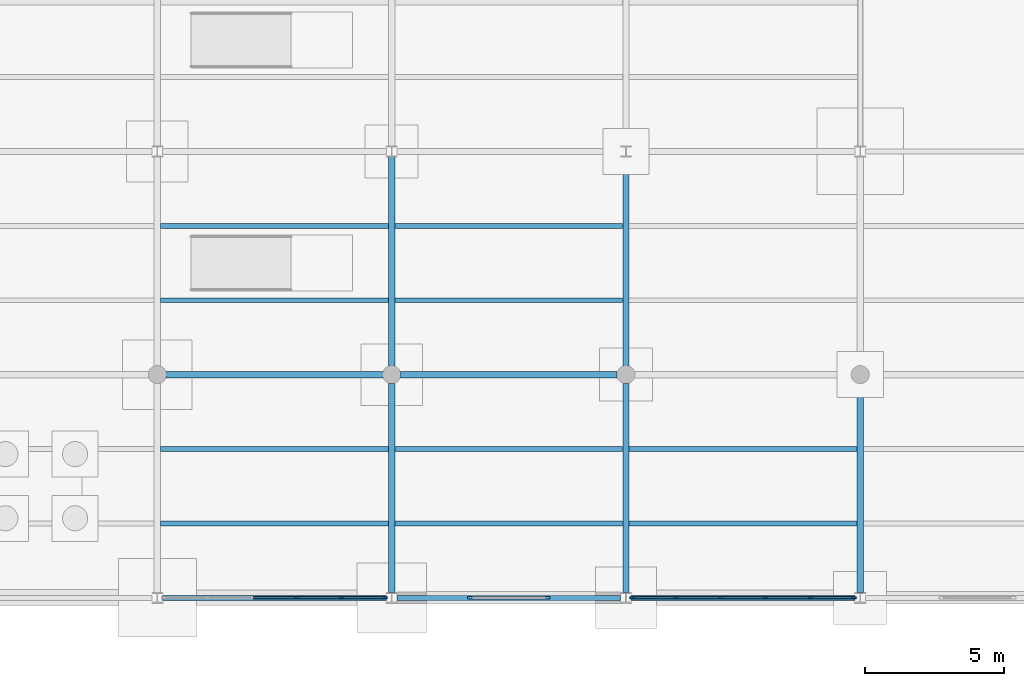
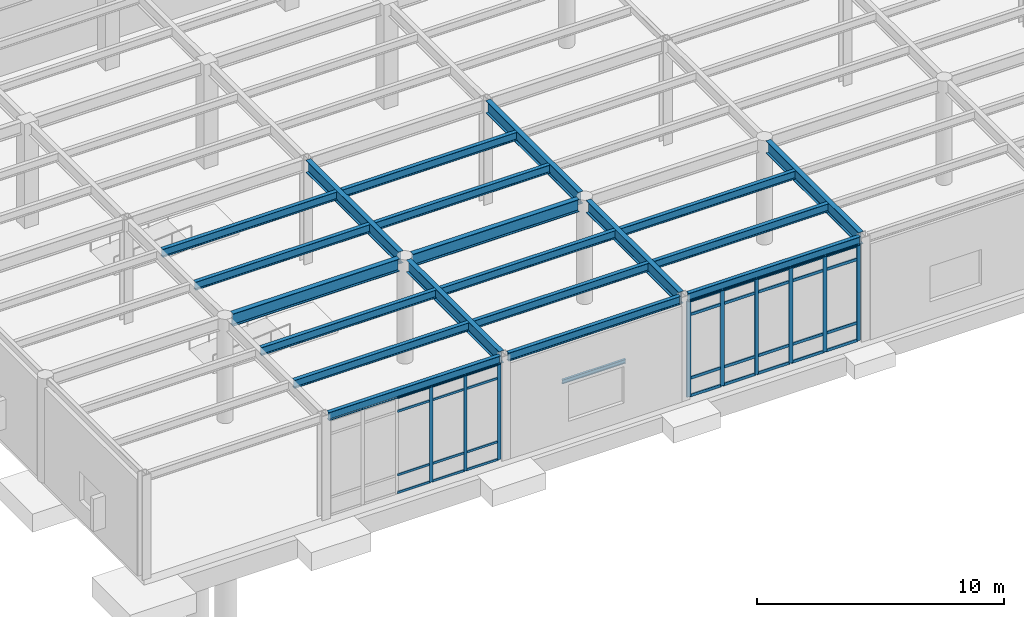
# One storey, part 31 of 138: 41 members, 21 beams, 2 elements without a shape of their own.
"""IFC4 building model written with IfcOpenShell, lengths in metres."""

from ifc_helpers import new_model, si_unit, direction, frame, origin, origin_2d, place, context, subcontext, project, spatial, rectangle, i_section, extrude, material, layer, layer_set, material_profile, profile_set, type_object, element, aggregate, save


model = new_model("IFC4")

# Units and contexts
model_context = context("Model", 3, precision=1e-05, world=origin(), true_north=direction((0.0, 1.0)))
body_context = subcontext(model_context, "Body", "Model", "MODEL_VIEW")
ifc_project = project(units=[si_unit("LENGTHUNIT", "METRE"), si_unit("AREAUNIT", "SQUARE_METRE"), si_unit("VOLUMEUNIT", "CUBIC_METRE"), si_unit("PLANEANGLEUNIT", "RADIAN"), si_unit("MASSUNIT", "GRAM", prefix="KILO")], contexts=[model_context])

# Site, building, storey
site_placement = place(None, origin())
site = spatial("IfcSite", under=ifc_project, at=site_placement, CompositionType="ELEMENT")
building_placement = place(site_placement, origin())
building = spatial("IfcBuilding", under=site, at=building_placement, Name="Kranzveld Transit Interchange", CompositionType="ELEMENT")
storey_placement = place(building_placement, origin())
storey = spatial("IfcBuildingStorey", under=building, at=storey_placement, Name="L00", CompositionType="ELEMENT", Elevation=0.0)

# Curtain wall, members
ifc_material_1 = material(Name="Bronze-anodised thermally broken aluminium", Category="aluminium")
ifc_layer_1 = layer(ifc_material_1, 0.14990234375)
ifc_layer_set_1 = layer_set([ifc_layer_1], Name="Bronze-anodised thermally broken aluminium")
curtain_wall_type_1 = type_object("IfcCurtainWallType", Name="Public Passage Clerestory Screen CW-4", PredefinedType="USERDEFINED", material=ifc_layer_set_1)
curtain_wall_1_placement = place(storey_placement, origin())
curtain_wall_1 = element("IfcCurtainWall", 1, at=curtain_wall_1_placement, inside=storey, type_object=curtain_wall_type_1, Name="L00 Curtain Wall 08/A-09/A", ObjectType="CURTAIN WALL", PredefinedType="USERDEFINED")
ifc_material_2 = material(Name="Bronze-anodised thermally broken aluminium", Category="aluminium")
ifc_material_profile_1 = material_profile(ifc_material_2, rectangle(XDim=0.06005859375, YDim=0.14990234375, at=origin_2d()), Name="ALU MULLION 60x150")
ifc_profile_set_1 = profile_set([ifc_material_profile_1], Name="Bronze-anodised thermally broken aluminium")
member_type_1 = type_object("IfcMemberType", Name="Curtain Wall Mullion 60x150 Alu", PredefinedType="MULLION", material=ifc_profile_set_1)
member_1_placement = place(storey_placement, frame((63.800048828125, 0.0, 0.0), z_axis=(0.0, 0.0, 1.0), x_axis=(0.0, 1.0, 0.0)))
member_1 = element("IfcMember", 2, at=member_1_placement, type_object=member_type_1, Name="CW-4 mullion 4", PredefinedType="MULLION", context=body_context, shape_type="SweptSolid", body=[
    extrude(rectangle(XDim=0.06005859375, YDim=0.14990234375, at=origin_2d()), origin(), (0.0, 0.0, 1.0), 4.740478515625),
])
member_2_placement = place(storey_placement, frame((65.400390625, 0.0, 0.0), z_axis=(0.0, 0.0, 1.0), x_axis=(0.0, 1.0, 0.0)))
member_2 = element("IfcMember", 3, at=member_2_placement, type_object=member_type_1, Name="CW-4 mullion 5", PredefinedType="MULLION", context=body_context, shape_type="SweptSolid", body=[
    extrude(rectangle(XDim=0.06005859375, YDim=0.14990234375, at=origin_2d()), origin(), (0.0, 0.0, 1.0), 4.740478515625),
])
member_3_placement = place(storey_placement, frame((66.970458984375, 0.0, 0.0), z_axis=(0.0, 0.0, 1.0), x_axis=(0.0, 1.0, 0.0)))
member_3 = element("IfcMember", 4, at=member_3_placement, type_object=member_type_1, Name="CW-4 mullion 6", PredefinedType="MULLION", context=body_context, shape_type="SweptSolid", body=[
    extrude(rectangle(XDim=0.06005859375, YDim=0.14990234375, at=origin_2d()), origin(), (0.0, 0.0, 1.0), 4.740478515625),
])

ifc_material_3 = material(Name="Bronze-anodised thermally broken aluminium", Category="aluminium")
ifc_layer_2 = layer(ifc_material_3, 0.18505859375)
ifc_layer_set_2 = layer_set([ifc_layer_2], Name="Bronze-anodised thermally broken aluminium")
curtain_wall_type_2 = type_object("IfcCurtainWallType", Name="Control Crown Observation Facade CW-5", PredefinedType="USERDEFINED", material=ifc_layer_set_2)
curtain_wall_2_placement = place(storey_placement, origin())
curtain_wall_2 = element("IfcCurtainWall", 5, at=curtain_wall_2_placement, inside=storey, type_object=curtain_wall_type_2, Name="L00 Curtain Wall 10/A-11/A", ObjectType="CURTAIN WALL", PredefinedType="USERDEFINED")
ifc_material_4 = material(Name="Bronze-anodised thermally broken aluminium", Category="aluminium")
ifc_material_profile_2 = material_profile(ifc_material_4, rectangle(XDim=0.06494140625, YDim=0.179931640625, at=origin_2d()), Name="ALU MULLION 65x180")
ifc_profile_set_2 = profile_set([ifc_material_profile_2], Name="Bronze-anodised thermally broken aluminium")
member_type_2 = type_object("IfcMemberType", Name="Curtain Wall Mullion 65x180 Alu", PredefinedType="MULLION", material=ifc_profile_set_2)
member_4_placement = place(storey_placement, frame((75.83203125, 0.0, 0.0), z_axis=(0.0, 0.0, 1.0), x_axis=(0.0, 1.0, 0.0)))
member_4 = element("IfcMember", 6, at=member_4_placement, type_object=member_type_2, Name="CW-5 mullion 1", PredefinedType="MULLION", context=body_context, shape_type="SweptSolid", body=[
    extrude(rectangle(XDim=0.06494140625, YDim=0.179931640625, at=origin_2d()), origin(), (0.0, 0.0, 1.0), 4.740478515625),
])
member_5_placement = place(storey_placement, frame((77.399658203125, 0.0, 0.0), z_axis=(0.0, 0.0, 1.0), x_axis=(0.0, 1.0, 0.0)))
member_5 = element("IfcMember", 7, at=member_5_placement, type_object=member_type_2, Name="CW-5 mullion 2", PredefinedType="MULLION", context=body_context, shape_type="SweptSolid", body=[
    extrude(rectangle(XDim=0.06494140625, YDim=0.179931640625, at=origin_2d()), origin(), (0.0, 0.0, 1.0), 4.740478515625),
])
member_6_placement = place(storey_placement, frame((79.0, 0.0, 0.0), z_axis=(0.0, 0.0, 1.0), x_axis=(0.0, 1.0, 0.0)))
member_6 = element("IfcMember", 8, at=member_6_placement, type_object=member_type_2, Name="CW-5 mullion 3", PredefinedType="MULLION", context=body_context, shape_type="SweptSolid", body=[
    extrude(rectangle(XDim=0.06494140625, YDim=0.179931640625, at=origin_2d()), origin(), (0.0, 0.0, 1.0), 4.740478515625),
])
member_7_placement = place(storey_placement, frame((80.60009765625, 0.0, 0.0), z_axis=(0.0, 0.0, 1.0), x_axis=(0.0, 1.0, 0.0)))
member_7 = element("IfcMember", 9, at=member_7_placement, type_object=member_type_2, Name="CW-5 mullion 4", PredefinedType="MULLION", context=body_context, shape_type="SweptSolid", body=[
    extrude(rectangle(XDim=0.06494140625, YDim=0.179931640625, at=origin_2d()), origin(), (0.0, 0.0, 1.0), 4.740478515625),
])
member_8_placement = place(storey_placement, frame((82.2001953125, 0.0, 0.0), z_axis=(0.0, 0.0, 1.0), x_axis=(0.0, 1.0, 0.0)))
member_8 = element("IfcMember", 10, at=member_8_placement, type_object=member_type_2, Name="CW-5 mullion 5", PredefinedType="MULLION", context=body_context, shape_type="SweptSolid", body=[
    extrude(rectangle(XDim=0.06494140625, YDim=0.179931640625, at=origin_2d()), origin(), (0.0, 0.0, 1.0), 4.740478515625),
])
member_9_placement = place(storey_placement, frame((83.76806640625, 0.0, 0.0), z_axis=(0.0, 0.0, 1.0), x_axis=(0.0, 1.0, 0.0)))
member_9 = element("IfcMember", 11, at=member_9_placement, type_object=member_type_2, Name="CW-5 mullion 6", PredefinedType="MULLION", context=body_context, shape_type="SweptSolid", body=[
    extrude(rectangle(XDim=0.06494140625, YDim=0.179931640625, at=origin_2d()), origin(), (0.0, 0.0, 1.0), 4.740478515625),
])

# Member
ifc_material_5 = material(Name="Bronze-anodised thermally broken aluminium", Category="aluminium")
ifc_material_profile_3 = material_profile(ifc_material_5, rectangle(XDim=0.06005859375, YDim=0.110107421875, at=origin_2d()), Name="ALU TRANSOM 60x110")
ifc_profile_set_3 = profile_set([ifc_material_profile_3], Name="Bronze-anodised thermally broken aluminium")
member_type_3 = type_object("IfcMemberType", Name="Curtain Wall Transom 60x110 Alu", PredefinedType="USERDEFINED", material=ifc_profile_set_3)
member_10_placement = place(storey_placement, frame((62.22998046875, 0.0, 0.030029296875), z_axis=(1.0, 0.0, 0.0), x_axis=(0.0, 1.0, 0.0)))
member_10 = element("IfcMember", 12, at=member_10_placement, type_object=member_type_3, Name="CW-4 transom 3.1", ObjectType="TRANSOM", PredefinedType="USERDEFINED", context=body_context, shape_type="SweptSolid", body=[
    extrude(rectangle(XDim=0.06005859375, YDim=0.110107421875, at=origin_2d()), origin(), (0.0, 0.0, 1.0), 1.5400390625),
])

member_11_placement = place(storey_placement, frame((62.22998046875, 0.0, 0.89990234375), z_axis=(1.0, 0.0, 0.0), x_axis=(0.0, 1.0, 0.0)))
member_11 = element("IfcMember", 13, at=member_11_placement, type_object=member_type_3, Name="CW-4 transom 3.2", ObjectType="TRANSOM", PredefinedType="USERDEFINED", context=body_context, shape_type="SweptSolid", body=[
    extrude(rectangle(XDim=0.06005859375, YDim=0.110107421875, at=origin_2d()), origin(), (0.0, 0.0, 1.0), 1.5400390625),
])

member_12_placement = place(storey_placement, frame((62.22998046875, 0.0, 4.04052734375), z_axis=(1.0, 0.0, 0.0), x_axis=(0.0, 1.0, 0.0)))
member_12 = element("IfcMember", 14, at=member_12_placement, type_object=member_type_3, Name="CW-4 transom 3.3", ObjectType="TRANSOM", PredefinedType="USERDEFINED", context=body_context, shape_type="SweptSolid", body=[
    extrude(rectangle(XDim=0.06005859375, YDim=0.110107421875, at=origin_2d()), origin(), (0.0, 0.0, 1.0), 1.5400390625),
])

member_13_placement = place(storey_placement, frame((62.22998046875, 0.0, 4.710693359375), z_axis=(1.0, 0.0, 0.0), x_axis=(0.0, 1.0, 0.0)))
member_13 = element("IfcMember", 15, at=member_13_placement, type_object=member_type_3, Name="CW-4 transom 3.4", ObjectType="TRANSOM", PredefinedType="USERDEFINED", context=body_context, shape_type="SweptSolid", body=[
    extrude(rectangle(XDim=0.06005859375, YDim=0.110107421875, at=origin_2d()), origin(), (0.0, 0.0, 1.0), 1.5400390625),
])

member_14_placement = place(storey_placement, frame((63.830078125, 0.0, 0.030029296875), z_axis=(1.0, 0.0, 0.0), x_axis=(0.0, 1.0, 0.0)))
member_14 = element("IfcMember", 16, at=member_14_placement, type_object=member_type_3, Name="CW-4 transom 4.1", ObjectType="TRANSOM", PredefinedType="USERDEFINED", context=body_context, shape_type="SweptSolid", body=[
    extrude(rectangle(XDim=0.06005859375, YDim=0.110107421875, at=origin_2d()), origin(), (0.0, 0.0, 1.0), 1.540283203125),
])

member_15_placement = place(storey_placement, frame((63.830078125, 0.0, 0.89990234375), z_axis=(1.0, 0.0, 0.0), x_axis=(0.0, 1.0, 0.0)))
member_15 = element("IfcMember", 17, at=member_15_placement, type_object=member_type_3, Name="CW-4 transom 4.2", ObjectType="TRANSOM", PredefinedType="USERDEFINED", context=body_context, shape_type="SweptSolid", body=[
    extrude(rectangle(XDim=0.06005859375, YDim=0.110107421875, at=origin_2d()), origin(), (0.0, 0.0, 1.0), 1.540283203125),
])

member_16_placement = place(storey_placement, frame((63.830078125, 0.0, 4.04052734375), z_axis=(1.0, 0.0, 0.0), x_axis=(0.0, 1.0, 0.0)))
member_16 = element("IfcMember", 18, at=member_16_placement, type_object=member_type_3, Name="CW-4 transom 4.3", ObjectType="TRANSOM", PredefinedType="USERDEFINED", context=body_context, shape_type="SweptSolid", body=[
    extrude(rectangle(XDim=0.06005859375, YDim=0.110107421875, at=origin_2d()), origin(), (0.0, 0.0, 1.0), 1.540283203125),
])

member_17_placement = place(storey_placement, frame((63.830078125, 0.0, 4.710693359375), z_axis=(1.0, 0.0, 0.0), x_axis=(0.0, 1.0, 0.0)))
member_17 = element("IfcMember", 19, at=member_17_placement, type_object=member_type_3, Name="CW-4 transom 4.4", ObjectType="TRANSOM", PredefinedType="USERDEFINED", context=body_context, shape_type="SweptSolid", body=[
    extrude(rectangle(XDim=0.06005859375, YDim=0.110107421875, at=origin_2d()), origin(), (0.0, 0.0, 1.0), 1.540283203125),
])

member_18_placement = place(storey_placement, frame((65.430419921875, 0.0, 0.030029296875), z_axis=(1.0, 0.0, 0.0), x_axis=(0.0, 1.0, 0.0)))
member_18 = element("IfcMember", 20, at=member_18_placement, type_object=member_type_3, Name="CW-4 transom 5.1", ObjectType="TRANSOM", PredefinedType="USERDEFINED", context=body_context, shape_type="SweptSolid", body=[
    extrude(rectangle(XDim=0.06005859375, YDim=0.110107421875, at=origin_2d()), origin(), (0.0, 0.0, 1.0), 1.510009765625),
])

member_19_placement = place(storey_placement, frame((65.430419921875, 0.0, 0.89990234375), z_axis=(1.0, 0.0, 0.0), x_axis=(0.0, 1.0, 0.0)))
member_19 = element("IfcMember", 21, at=member_19_placement, type_object=member_type_3, Name="CW-4 transom 5.2", ObjectType="TRANSOM", PredefinedType="USERDEFINED", context=body_context, shape_type="SweptSolid", body=[
    extrude(rectangle(XDim=0.06005859375, YDim=0.110107421875, at=origin_2d()), origin(), (0.0, 0.0, 1.0), 1.510009765625),
])

member_20_placement = place(storey_placement, frame((65.430419921875, 0.0, 4.04052734375), z_axis=(1.0, 0.0, 0.0), x_axis=(0.0, 1.0, 0.0)))
member_20 = element("IfcMember", 22, at=member_20_placement, type_object=member_type_3, Name="CW-4 transom 5.3", ObjectType="TRANSOM", PredefinedType="USERDEFINED", context=body_context, shape_type="SweptSolid", body=[
    extrude(rectangle(XDim=0.06005859375, YDim=0.110107421875, at=origin_2d()), origin(), (0.0, 0.0, 1.0), 1.510009765625),
])

member_21_placement = place(storey_placement, frame((65.430419921875, 0.0, 4.710693359375), z_axis=(1.0, 0.0, 0.0), x_axis=(0.0, 1.0, 0.0)))
member_21 = element("IfcMember", 23, at=member_21_placement, type_object=member_type_3, Name="CW-4 transom 5.4", ObjectType="TRANSOM", PredefinedType="USERDEFINED", context=body_context, shape_type="SweptSolid", body=[
    extrude(rectangle(XDim=0.06005859375, YDim=0.110107421875, at=origin_2d()), origin(), (0.0, 0.0, 1.0), 1.510009765625),
])

aggregate(curtain_wall_1, [member_1, member_2, member_3, member_10, member_11, member_12, member_13, member_14, member_15, member_16, member_17, member_18, member_19, member_20, member_21])

ifc_material_6 = material(Name="Bronze-anodised thermally broken aluminium", Category="aluminium")
ifc_material_profile_4 = material_profile(ifc_material_6, rectangle(XDim=0.06494140625, YDim=0.139892578125, at=origin_2d()), Name="ALU TRANSOM 65x140")
ifc_profile_set_4 = profile_set([ifc_material_profile_4], Name="Bronze-anodised thermally broken aluminium")
member_type_4 = type_object("IfcMemberType", Name="Curtain Wall Transom 65x140 Alu", PredefinedType="USERDEFINED", material=ifc_profile_set_4)
member_22_placement = place(storey_placement, frame((75.864501953125, 0.0, 0.032470703125), z_axis=(1.0, 0.0, 0.0), x_axis=(0.0, 1.0, 0.0)))
member_22 = element("IfcMember", 24, at=member_22_placement, type_object=member_type_4, Name="CW-5 transom 1.1", ObjectType="TRANSOM", PredefinedType="USERDEFINED", context=body_context, shape_type="SweptSolid", body=[
    extrude(rectangle(XDim=0.06494140625, YDim=0.139892578125, at=origin_2d()), origin(), (0.0, 0.0, 1.0), 1.502685546875),
])

member_23_placement = place(storey_placement, frame((75.864501953125, 0.0, 0.89990234375), z_axis=(1.0, 0.0, 0.0), x_axis=(0.0, 1.0, 0.0)))
member_23 = element("IfcMember", 25, at=member_23_placement, type_object=member_type_4, Name="CW-5 transom 1.2", ObjectType="TRANSOM", PredefinedType="USERDEFINED", context=body_context, shape_type="SweptSolid", body=[
    extrude(rectangle(XDim=0.06494140625, YDim=0.139892578125, at=origin_2d()), origin(), (0.0, 0.0, 1.0), 1.502685546875),
])

member_24_placement = place(storey_placement, frame((75.864501953125, 0.0, 4.04052734375), z_axis=(1.0, 0.0, 0.0), x_axis=(0.0, 1.0, 0.0)))
member_24 = element("IfcMember", 26, at=member_24_placement, type_object=member_type_4, Name="CW-5 transom 1.3", ObjectType="TRANSOM", PredefinedType="USERDEFINED", context=body_context, shape_type="SweptSolid", body=[
    extrude(rectangle(XDim=0.06494140625, YDim=0.139892578125, at=origin_2d()), origin(), (0.0, 0.0, 1.0), 1.502685546875),
])

member_25_placement = place(storey_placement, frame((75.864501953125, 0.0, 4.7080078125), z_axis=(1.0, 0.0, 0.0), x_axis=(0.0, 1.0, 0.0)))
member_25 = element("IfcMember", 27, at=member_25_placement, type_object=member_type_4, Name="CW-5 transom 1.4", ObjectType="TRANSOM", PredefinedType="USERDEFINED", context=body_context, shape_type="SweptSolid", body=[
    extrude(rectangle(XDim=0.06494140625, YDim=0.139892578125, at=origin_2d()), origin(), (0.0, 0.0, 1.0), 1.502685546875),
])

member_26_placement = place(storey_placement, frame((77.43212890625, 0.0, 0.032470703125), z_axis=(1.0, 0.0, 0.0), x_axis=(0.0, 1.0, 0.0)))
member_26 = element("IfcMember", 28, at=member_26_placement, type_object=member_type_4, Name="CW-5 transom 2.1", ObjectType="TRANSOM", PredefinedType="USERDEFINED", context=body_context, shape_type="SweptSolid", body=[
    extrude(rectangle(XDim=0.06494140625, YDim=0.139892578125, at=origin_2d()), origin(), (0.0, 0.0, 1.0), 1.53515625),
])

member_27_placement = place(storey_placement, frame((77.43212890625, 0.0, 0.89990234375), z_axis=(1.0, 0.0, 0.0), x_axis=(0.0, 1.0, 0.0)))
member_27 = element("IfcMember", 29, at=member_27_placement, type_object=member_type_4, Name="CW-5 transom 2.2", ObjectType="TRANSOM", PredefinedType="USERDEFINED", context=body_context, shape_type="SweptSolid", body=[
    extrude(rectangle(XDim=0.06494140625, YDim=0.139892578125, at=origin_2d()), origin(), (0.0, 0.0, 1.0), 1.53515625),
])

member_28_placement = place(storey_placement, frame((77.43212890625, 0.0, 4.04052734375), z_axis=(1.0, 0.0, 0.0), x_axis=(0.0, 1.0, 0.0)))
member_28 = element("IfcMember", 30, at=member_28_placement, type_object=member_type_4, Name="CW-5 transom 2.3", ObjectType="TRANSOM", PredefinedType="USERDEFINED", context=body_context, shape_type="SweptSolid", body=[
    extrude(rectangle(XDim=0.06494140625, YDim=0.139892578125, at=origin_2d()), origin(), (0.0, 0.0, 1.0), 1.53515625),
])

member_29_placement = place(storey_placement, frame((77.43212890625, 0.0, 4.7080078125), z_axis=(1.0, 0.0, 0.0), x_axis=(0.0, 1.0, 0.0)))
member_29 = element("IfcMember", 31, at=member_29_placement, type_object=member_type_4, Name="CW-5 transom 2.4", ObjectType="TRANSOM", PredefinedType="USERDEFINED", context=body_context, shape_type="SweptSolid", body=[
    extrude(rectangle(XDim=0.06494140625, YDim=0.139892578125, at=origin_2d()), origin(), (0.0, 0.0, 1.0), 1.53515625),
])

member_30_placement = place(storey_placement, frame((79.032470703125, 0.0, 0.032470703125), z_axis=(1.0, 0.0, 0.0), x_axis=(0.0, 1.0, 0.0)))
member_30 = element("IfcMember", 32, at=member_30_placement, type_object=member_type_4, Name="CW-5 transom 3.1", ObjectType="TRANSOM", PredefinedType="USERDEFINED", context=body_context, shape_type="SweptSolid", body=[
    extrude(rectangle(XDim=0.06494140625, YDim=0.139892578125, at=origin_2d()), origin(), (0.0, 0.0, 1.0), 1.53515625),
])

member_31_placement = place(storey_placement, frame((79.032470703125, 0.0, 0.89990234375), z_axis=(1.0, 0.0, 0.0), x_axis=(0.0, 1.0, 0.0)))
member_31 = element("IfcMember", 33, at=member_31_placement, type_object=member_type_4, Name="CW-5 transom 3.2", ObjectType="TRANSOM", PredefinedType="USERDEFINED", context=body_context, shape_type="SweptSolid", body=[
    extrude(rectangle(XDim=0.06494140625, YDim=0.139892578125, at=origin_2d()), origin(), (0.0, 0.0, 1.0), 1.53515625),
])

member_32_placement = place(storey_placement, frame((79.032470703125, 0.0, 4.04052734375), z_axis=(1.0, 0.0, 0.0), x_axis=(0.0, 1.0, 0.0)))
member_32 = element("IfcMember", 34, at=member_32_placement, type_object=member_type_4, Name="CW-5 transom 3.3", ObjectType="TRANSOM", PredefinedType="USERDEFINED", context=body_context, shape_type="SweptSolid", body=[
    extrude(rectangle(XDim=0.06494140625, YDim=0.139892578125, at=origin_2d()), origin(), (0.0, 0.0, 1.0), 1.53515625),
])

member_33_placement = place(storey_placement, frame((79.032470703125, 0.0, 4.7080078125), z_axis=(1.0, 0.0, 0.0), x_axis=(0.0, 1.0, 0.0)))
member_33 = element("IfcMember", 35, at=member_33_placement, type_object=member_type_4, Name="CW-5 transom 3.4", ObjectType="TRANSOM", PredefinedType="USERDEFINED", context=body_context, shape_type="SweptSolid", body=[
    extrude(rectangle(XDim=0.06494140625, YDim=0.139892578125, at=origin_2d()), origin(), (0.0, 0.0, 1.0), 1.53515625),
])

member_34_placement = place(storey_placement, frame((80.632568359375, 0.0, 0.032470703125), z_axis=(1.0, 0.0, 0.0), x_axis=(0.0, 1.0, 0.0)))
member_34 = element("IfcMember", 36, at=member_34_placement, type_object=member_type_4, Name="CW-5 transom 4.1", ObjectType="TRANSOM", PredefinedType="USERDEFINED", context=body_context, shape_type="SweptSolid", body=[
    extrude(rectangle(XDim=0.06494140625, YDim=0.139892578125, at=origin_2d()), origin(), (0.0, 0.0, 1.0), 1.53515625),
])

member_35_placement = place(storey_placement, frame((80.632568359375, 0.0, 0.89990234375), z_axis=(1.0, 0.0, 0.0), x_axis=(0.0, 1.0, 0.0)))
member_35 = element("IfcMember", 37, at=member_35_placement, type_object=member_type_4, Name="CW-5 transom 4.2", ObjectType="TRANSOM", PredefinedType="USERDEFINED", context=body_context, shape_type="SweptSolid", body=[
    extrude(rectangle(XDim=0.06494140625, YDim=0.139892578125, at=origin_2d()), origin(), (0.0, 0.0, 1.0), 1.53515625),
])

member_36_placement = place(storey_placement, frame((80.632568359375, 0.0, 4.04052734375), z_axis=(1.0, 0.0, 0.0), x_axis=(0.0, 1.0, 0.0)))
member_36 = element("IfcMember", 38, at=member_36_placement, type_object=member_type_4, Name="CW-5 transom 4.3", ObjectType="TRANSOM", PredefinedType="USERDEFINED", context=body_context, shape_type="SweptSolid", body=[
    extrude(rectangle(XDim=0.06494140625, YDim=0.139892578125, at=origin_2d()), origin(), (0.0, 0.0, 1.0), 1.53515625),
])

member_37_placement = place(storey_placement, frame((80.632568359375, 0.0, 4.7080078125), z_axis=(1.0, 0.0, 0.0), x_axis=(0.0, 1.0, 0.0)))
member_37 = element("IfcMember", 39, at=member_37_placement, type_object=member_type_4, Name="CW-5 transom 4.4", ObjectType="TRANSOM", PredefinedType="USERDEFINED", context=body_context, shape_type="SweptSolid", body=[
    extrude(rectangle(XDim=0.06494140625, YDim=0.139892578125, at=origin_2d()), origin(), (0.0, 0.0, 1.0), 1.53515625),
])

member_38_placement = place(storey_placement, frame((82.23291015625, 0.0, 0.032470703125), z_axis=(1.0, 0.0, 0.0), x_axis=(0.0, 1.0, 0.0)))
member_38 = element("IfcMember", 40, at=member_38_placement, type_object=member_type_4, Name="CW-5 transom 5.1", ObjectType="TRANSOM", PredefinedType="USERDEFINED", context=body_context, shape_type="SweptSolid", body=[
    extrude(rectangle(XDim=0.06494140625, YDim=0.139892578125, at=origin_2d()), origin(), (0.0, 0.0, 1.0), 1.502685546875),
])

member_39_placement = place(storey_placement, frame((82.23291015625, 0.0, 0.89990234375), z_axis=(1.0, 0.0, 0.0), x_axis=(0.0, 1.0, 0.0)))
member_39 = element("IfcMember", 41, at=member_39_placement, type_object=member_type_4, Name="CW-5 transom 5.2", ObjectType="TRANSOM", PredefinedType="USERDEFINED", context=body_context, shape_type="SweptSolid", body=[
    extrude(rectangle(XDim=0.06494140625, YDim=0.139892578125, at=origin_2d()), origin(), (0.0, 0.0, 1.0), 1.502685546875),
])

member_40_placement = place(storey_placement, frame((82.23291015625, 0.0, 4.04052734375), z_axis=(1.0, 0.0, 0.0), x_axis=(0.0, 1.0, 0.0)))
member_40 = element("IfcMember", 42, at=member_40_placement, type_object=member_type_4, Name="CW-5 transom 5.3", ObjectType="TRANSOM", PredefinedType="USERDEFINED", context=body_context, shape_type="SweptSolid", body=[
    extrude(rectangle(XDim=0.06494140625, YDim=0.139892578125, at=origin_2d()), origin(), (0.0, 0.0, 1.0), 1.502685546875),
])

member_41_placement = place(storey_placement, frame((82.23291015625, 0.0, 4.7080078125), z_axis=(1.0, 0.0, 0.0), x_axis=(0.0, 1.0, 0.0)))
member_41 = element("IfcMember", 43, at=member_41_placement, type_object=member_type_4, Name="CW-5 transom 5.4", ObjectType="TRANSOM", PredefinedType="USERDEFINED", context=body_context, shape_type="SweptSolid", body=[
    extrude(rectangle(XDim=0.06494140625, YDim=0.139892578125, at=origin_2d()), origin(), (0.0, 0.0, 1.0), 1.502685546875),
])

aggregate(curtain_wall_2, [member_4, member_5, member_6, member_7, member_8, member_9, member_22, member_23, member_24, member_25, member_26, member_27, member_28, member_29, member_30, member_31, member_32, member_33, member_34, member_35, member_36, member_37, member_38, member_39, member_40, member_41])

# Beams
ifc_material_7 = material(Name="Steel S355JR", Category="steel")
ifc_material_profile_5 = material_profile(ifc_material_7, i_section(OverallWidth=0.1787109375, OverallDepth=0.409423828125, WebThickness=0.0087890625, FlangeThickness=0.014404296875, FilletRadius=0.01025390625, at=origin_2d()), Name="UB 406x178x67")
ifc_profile_set_5 = profile_set([ifc_material_profile_5], Name="Steel S355JR")
beam_type_1 = type_object("IfcBeamType", Name="Facade Spandrel UB 406x178x67 S355JR", PredefinedType="SPANDREL", material=ifc_profile_set_5)
for number, where, z_axis, x_axis, name in (
    (44, (58.989501953125, 0.0, 4.9453125), (1.0, 0.0, 0.0), (0.0, 1.0, 0.0), "L00 Girder 08-09/A"),
    (45, (67.389404296875, 0.0, 4.9453125), (1.0, 0.0, 0.0), (0.0, 1.0, 0.0), "L00 Girder 09-10/A"),
    (46, (75.78955078125, 0.0, 4.9453125), (1.0, 0.0, 0.0), (0.0, 1.0, 0.0), "L00 Girder 10-11/A"),
):
    element("IfcBeam", number, at=place(storey_placement, frame(where, z_axis=z_axis, x_axis=x_axis)), inside=storey, type_object=beam_type_1, Name=name, PredefinedType="SPANDREL", context=body_context, shape_type="SweptSolid", body=[
        extrude(i_section(OverallWidth=0.1787109375, OverallDepth=0.409423828125, WebThickness=0.0087890625, FlangeThickness=0.014404296875, FilletRadius=0.01025390625, at=origin_2d()), origin(), (0.0, 0.0, 1.0), 8.02099609375),
    ])
ifc_material_8 = material(Name="Steel S355JR", Category="steel")
ifc_material_profile_6 = material_profile(ifc_material_8, i_section(OverallWidth=0.177734375, OverallDepth=0.402587890625, WebThickness=0.0078125, FlangeThickness=0.010986328125, FilletRadius=0.01025390625, at=origin_2d()), Name="UB 406x178x54")
ifc_profile_set_6 = profile_set([ifc_material_profile_6], Name="Steel S355JR")
beam_type_2 = type_object("IfcBeamType", Name="Floor Joist UB 406x178x54 S355JR", PredefinedType="JOIST", material=ifc_profile_set_6)
for number, where, z_axis, x_axis, name in (
    (47, (58.916015625, 2.666748046875, 4.94873046875), (1.0, 0.0, 0.0), (0.0, 1.0, 0.0), "L00 Secondary Joist 08-09/A.1"),
    (48, (58.916015625, 5.333251953125, 4.94873046875), (1.0, 0.0, 0.0), (0.0, 1.0, 0.0), "L00 Secondary Joist 08-09/A.2"),
    (49, (58.916015625, 10.666748046875, 4.94873046875), (1.0, 0.0, 0.0), (0.0, 1.0, 0.0), "L00 Secondary Joist 08-09/B.1"),
    (50, (58.916015625, 13.333251953125, 4.94873046875), (1.0, 0.0, 0.0), (0.0, 1.0, 0.0), "L00 Secondary Joist 08-09/B.2"),
):
    element("IfcBeam", number, at=place(storey_placement, frame(where, z_axis=z_axis, x_axis=x_axis)), inside=storey, type_object=beam_type_2, Name=name, PredefinedType="JOIST", context=body_context, shape_type="SweptSolid", body=[
        extrude(i_section(OverallWidth=0.177734375, OverallDepth=0.402587890625, WebThickness=0.0078125, FlangeThickness=0.010986328125, FilletRadius=0.01025390625, at=origin_2d()), origin(), (0.0, 0.0, 1.0), 8.16796875),
    ])
for number, where, z_axis, x_axis, name in (
    (51, (67.316162109375, 2.666748046875, 4.94873046875), (1.0, 0.0, 0.0), (0.0, 1.0, 0.0), "L00 Secondary Joist 09-10/A.1"),
    (52, (67.316162109375, 5.333251953125, 4.94873046875), (1.0, 0.0, 0.0), (0.0, 1.0, 0.0), "L00 Secondary Joist 09-10/A.2"),
    (53, (67.316162109375, 10.666748046875, 4.94873046875), (1.0, 0.0, 0.0), (0.0, 1.0, 0.0), "L00 Secondary Joist 09-10/B.1"),
    (54, (67.316162109375, 13.333251953125, 4.94873046875), (1.0, 0.0, 0.0), (0.0, 1.0, 0.0), "L00 Secondary Joist 09-10/B.2"),
    (55, (75.716064453125, 2.666748046875, 4.94873046875), (1.0, 0.0, 0.0), (0.0, 1.0, 0.0), "L00 Secondary Joist 10-11/A.1"),
    (56, (75.716064453125, 5.333251953125, 4.94873046875), (1.0, 0.0, 0.0), (0.0, 1.0, 0.0), "L00 Secondary Joist 10-11/A.2"),
):
    element("IfcBeam", number, at=place(storey_placement, frame(where, z_axis=z_axis, x_axis=x_axis)), inside=storey, type_object=beam_type_2, Name=name, PredefinedType="JOIST", context=body_context, shape_type="SweptSolid", body=[
        extrude(i_section(OverallWidth=0.177734375, OverallDepth=0.402587890625, WebThickness=0.0078125, FlangeThickness=0.010986328125, FilletRadius=0.01025390625, at=origin_2d()), origin(), (0.0, 0.0, 1.0), 8.167724609375),
    ])
ifc_material_9 = material(Name="Steel S355JR", Category="steel")
ifc_material_profile_7 = material_profile(ifc_material_9, i_section(OverallWidth=0.228271484375, OverallDepth=0.607666015625, WebThickness=0.010986328125, FlangeThickness=0.017333984375, FilletRadius=0.0126953125, at=origin_2d()), Name="UB 610x229x113")
ifc_profile_set_7 = profile_set([ifc_material_profile_7], Name="Steel S355JR")
beam_type_3 = type_object("IfcBeamType", Name="Girder Steel UB 610x229x113 S355JR", PredefinedType="BEAM", material=ifc_profile_set_7)
for number, where, z_axis, x_axis, name in (
    (57, (67.199951171875, 0.186767578125, 4.84619140625), (0.0, 1.0, 0.0), (-1.0, 0.0, 0.0), "L00 Girder 09/A-B"),
    (58, (67.199951171875, 8.31494140625, 4.84619140625), (0.0, 1.0, 0.0), (-1.0, 0.0, 0.0), "L00 Girder 09/B-C"),
    (59, (75.60009765625, 0.186767578125, 4.84619140625), (0.0, 1.0, 0.0), (-1.0, 0.0, 0.0), "L00 Girder 10/A-B"),
    (60, (75.60009765625, 8.31494140625, 4.84619140625), (0.0, 1.0, 0.0), (-1.0, 0.0, 0.0), "L00 Girder 10/B-C"),
    (61, (84.0, 0.186767578125, 4.84619140625), (0.0, 1.0, 0.0), (-1.0, 0.0, 0.0), "L00 Girder 11/A-B"),
):
    element("IfcBeam", number, at=place(storey_placement, frame(where, z_axis=z_axis, x_axis=x_axis)), inside=storey, type_object=beam_type_3, Name=name, PredefinedType="BEAM", context=body_context, shape_type="SweptSolid", body=[
        extrude(i_section(OverallWidth=0.228271484375, OverallDepth=0.607666015625, WebThickness=0.010986328125, FlangeThickness=0.017333984375, FilletRadius=0.0126953125, at=origin_2d()), origin(), (0.0, 0.0, 1.0), 7.498291015625),
    ])
ifc_material_10 = material(Name="Steel S355JR", Category="steel")
ifc_material_profile_8 = material_profile(ifc_material_10, i_section(OverallWidth=0.230224609375, OverallDepth=0.6171875, WebThickness=0.01318359375, FlangeThickness=0.022216796875, FilletRadius=0.0126953125, at=origin_2d()), Name="UB 610x229x140")
ifc_profile_set_8 = profile_set([ifc_material_profile_8], Name="Steel S355JR")
beam_type_4 = type_object("IfcBeamType", Name="Girder Steel UB 610x229x140 S355JR", PredefinedType="BEAM", material=ifc_profile_set_8)
for number, where, z_axis, x_axis, name in (
    (62, (59.114990234375, 8.0, 4.84130859375), (1.0, 0.0, 0.0), (0.0, 1.0, 0.0), "L00 Girder 08-09/B"),
    (63, (67.514892578125, 8.0, 4.84130859375), (1.0, 0.0, 0.0), (0.0, 1.0, 0.0), "L00 Girder 09-10/B"),
):
    element("IfcBeam", number, at=place(storey_placement, frame(where, z_axis=z_axis, x_axis=x_axis)), inside=storey, type_object=beam_type_4, Name=name, PredefinedType="BEAM", context=body_context, shape_type="SweptSolid", body=[
        extrude(i_section(OverallWidth=0.230224609375, OverallDepth=0.6171875, WebThickness=0.01318359375, FlangeThickness=0.022216796875, FilletRadius=0.0126953125, at=origin_2d()), origin(), (0.0, 0.0, 1.0), 7.77001953125),
    ])
ifc_material_11 = material(Name="Steel S355JR", Category="steel")
ifc_material_profile_9 = material_profile(ifc_material_11, i_section(OverallWidth=0.10009765625, OverallDepth=0.199951171875, WebThickness=0.005615234375, FlangeThickness=0.008544921875, FilletRadius=0.011962890625, at=origin_2d()), Name="IPE 200")
ifc_profile_set_9 = profile_set([ifc_material_profile_9], Name="Steel S355JR")
beam_type_5 = type_object("IfcBeamType", Name="Opening Lintel IPE 200 S355JR", PredefinedType="LINTEL", material=ifc_profile_set_9)
beam_placement = place(storey_placement, frame((69.919921875, 0.0, 2.804931640625), z_axis=(1.0, 0.0, 0.0), x_axis=(0.0, 1.0, 0.0)))
element("IfcBeam", 64, at=beam_placement, inside=storey, type_object=beam_type_5, Name="L00 Window Lintel 046", PredefinedType="LINTEL", context=body_context, shape_type="SweptSolid", body=[
    extrude(i_section(OverallWidth=0.10009765625, OverallDepth=0.199951171875, WebThickness=0.005615234375, FlangeThickness=0.008544921875, FilletRadius=0.011962890625, at=origin_2d()), origin(), (0.0, 0.0, 1.0), 2.9599609375),
])

save(model, "model.ifc")
